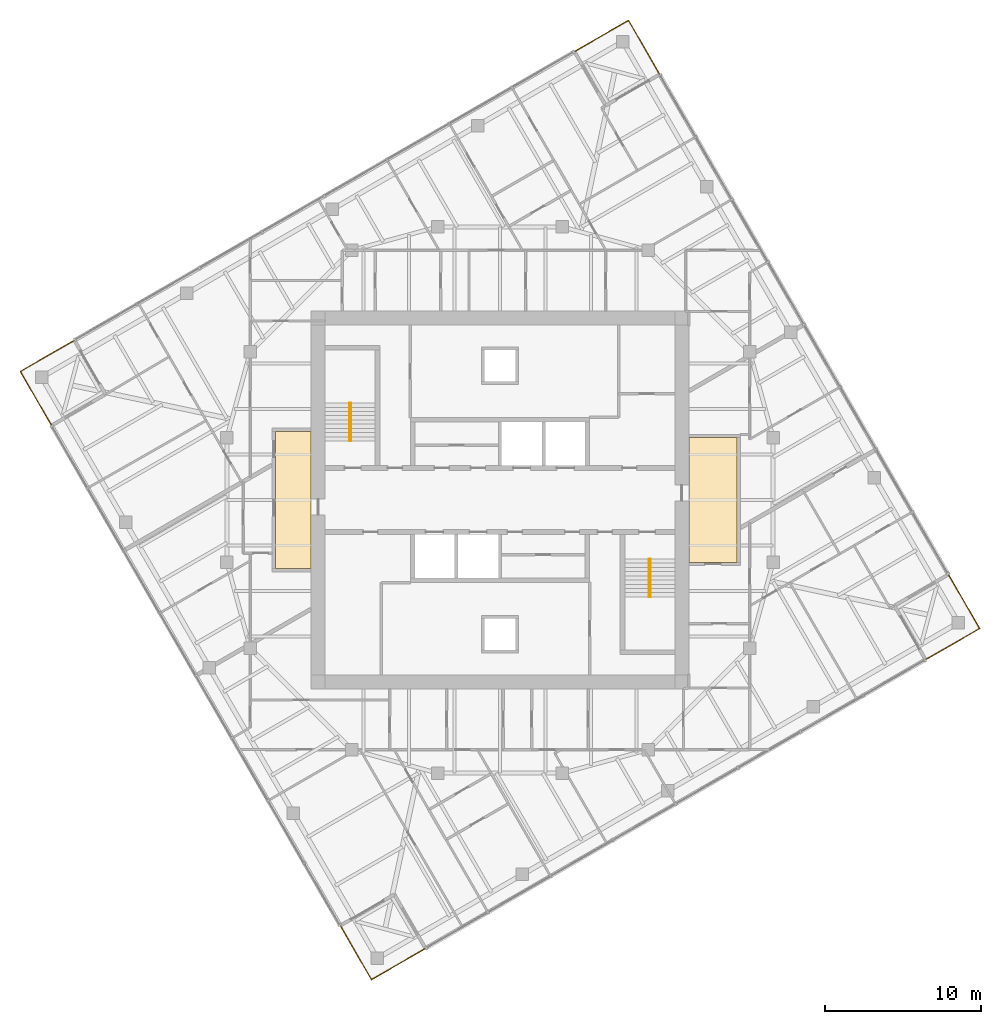
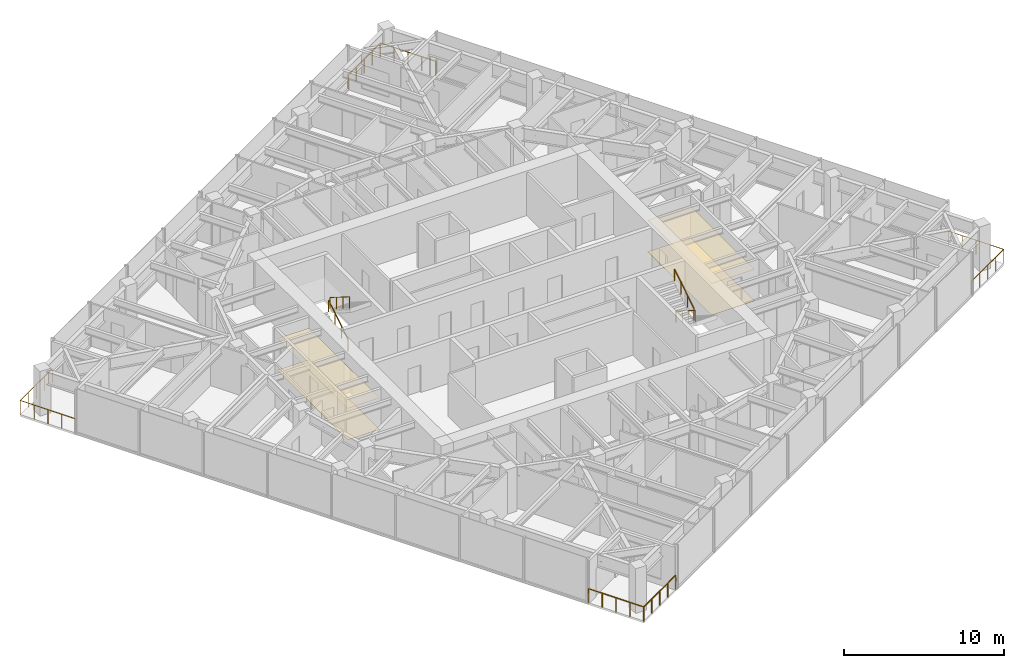
# One storey, part 13 of 13: 8 railings, 4 coverings, 2 elements without a shape of their own.
"""IFC4 building model written with IfcOpenShell, lengths in metres."""

from ifc_helpers import new_model, si_unit, direction, frame, origin, origin_2d, place, context, subcontext, project, spatial, polyline, circle, outline, extrude, material, layer, layer_set, type_object, element, aggregate, save


model = new_model("IFC4")

# Units and contexts
model_context = context("Model", 3, precision=1e-05, world=origin(), true_north=direction((0.0, 1.0)))
body_context = subcontext(model_context, "Body", "Model", "MODEL_VIEW")
ifc_project = project(units=[si_unit("LENGTHUNIT", "METRE"), si_unit("AREAUNIT", "SQUARE_METRE"), si_unit("VOLUMEUNIT", "CUBIC_METRE"), si_unit("PLANEANGLEUNIT", "RADIAN"), si_unit("MASSUNIT", "GRAM", prefix="KILO")], contexts=[model_context])

# Site, building, storey
site_placement = place(None, origin())
site = spatial("IfcSite", under=ifc_project, at=site_placement, CompositionType="ELEMENT")
building_placement = place(site_placement, origin())
building = spatial("IfcBuilding", under=site, at=building_placement, Name="Torsade Residences", CompositionType="ELEMENT")
storey_placement = place(building_placement, frame((0.0, 0.0, 225.199951171875)))
storey = spatial("IfcBuildingStorey", under=building, at=storey_placement, Name="L62", CompositionType="ELEMENT", Elevation=225.199951171875)

# Coverings
ifc_material_1 = material(Name="Nylon carpet tile on underlay", Category="textile")
ifc_layer_1 = layer(ifc_material_1, 0.010009765625)
ifc_layer_set_1 = layer_set([ifc_layer_1], Name="Nylon carpet tile on underlay")
covering_type_1 = type_object("IfcCoveringType", Name="CORRIDOR CARPET TILE 10", PredefinedType="FLOORING", material=ifc_layer_set_1)
covering_1_placement = place(storey_placement, origin())
element("IfcCovering", 1, at=covering_1_placement, inside=storey, type_object=covering_type_1, Name="Corridor carpet L62", PredefinedType="FLOORING", context=body_context, shape_type="SweptSolid", body=[
    extrude(outline(polyline([(55.199951171875, 26.0), (55.199951171875, 34.0), (52.10009765625, 34.0), (52.10009765625, 26.0), (55.199951171875, 26.0)])), origin(), (0.0, 0.0, 1.0), 0.010009765625),
])
covering_2_placement = place(storey_placement, origin())
element("IfcCovering", 2, at=covering_2_placement, inside=storey, type_object=covering_type_1, Name="Corridor carpet west L62", PredefinedType="FLOORING", context=body_context, shape_type="SweptSolid", body=[
    extrude(outline(polyline([(27.89990234375, 25.60009765625), (27.89990234375, 34.39990234375), (25.60009765625, 34.39990234375), (25.60009765625, 25.60009765625), (27.89990234375, 25.60009765625)])), origin(), (0.0, 0.0, 1.0), 0.010009765625),
])
ifc_material_2 = material(Name="Plasterboard on suspended steel grid", Category="steel")
ifc_layer_2 = layer(ifc_material_2, 0.012939453125)
ifc_layer_set_2 = layer_set([ifc_layer_2], Name="Plasterboard on suspended steel grid")
covering_type_2 = type_object("IfcCoveringType", Name="CORRIDOR SUSPENDED CEILING 13", PredefinedType="CEILING", material=ifc_layer_set_2)
covering_3_placement = place(storey_placement, frame((0.0, 0.0, 2.400146484375)))
element("IfcCovering", 3, at=covering_3_placement, inside=storey, type_object=covering_type_2, Name="Corridor ceiling L62", PredefinedType="CEILING", context=body_context, shape_type="SweptSolid", body=[
    extrude(outline(polyline([(55.199951171875, 26.0), (55.199951171875, 34.0), (52.10009765625, 34.0), (52.10009765625, 26.0), (55.199951171875, 26.0)])), origin(), (0.0, 0.0, 1.0), 0.012939453125),
])
covering_4_placement = place(storey_placement, frame((0.0, 0.0, 2.400146484375)))
element("IfcCovering", 4, at=covering_4_placement, inside=storey, type_object=covering_type_2, Name="Corridor ceiling west L62", PredefinedType="CEILING", context=body_context, shape_type="SweptSolid", body=[
    extrude(outline(polyline([(27.89990234375, 25.60009765625), (27.89990234375, 34.39990234375), (25.60009765625, 34.39990234375), (25.60009765625, 25.60009765625), (27.89990234375, 25.60009765625)])), origin(), (0.0, 0.0, 1.0), 0.012939453125),
])

# Stair, railings
ifc_material_3 = material(Name="Precast concrete 40 MPa", Category="concrete")
stair_type = type_object("IfcStairType", Name="HALF-TURN FIRE STAIR 1500x3400", PredefinedType="HALF_TURN_STAIR", material=ifc_material_3)
stair_1_placement = place(storey_placement, origin())
stair_1 = element("IfcStair", 5, at=stair_1_placement, inside=storey, type_object=stair_type, Name="Stair ST1 L62", PredefinedType="HALF_TURN_STAIR")
ifc_material_4 = material(Name="Steel handrail", Category="steel")
railing_type_1 = type_object("IfcRailingType", Name="STAIR HANDRAIL 900", PredefinedType="HANDRAIL", material=ifc_material_4)
railing_1_placement = place(storey_placement, frame((30.35009765625, 33.780029296875, 0.170166015625)))
railing_1 = element("IfcRailing", 6, at=railing_1_placement, type_object=railing_type_1, Name="Handrail ST1 flight 1 L62", PredefinedType="HANDRAIL", context=body_context, shape_type="SweptSolid", body=[
    extrude(circle(Radius=0.02392578125, at=origin_2d()), frame((0.0, 0.0, 0.8759765625), z_axis=(0.0, 0.846259816676, 0.532770422113), x_axis=(-1.0, 0.0, 0.0)), (0.0, 0.0, 1.0), 2.871337890625),
    extrude(circle(Radius=0.02099609375, at=origin_2d()), origin(), (0.0, 0.0, 1.0), 0.851806640625),
    extrude(circle(Radius=0.02099609375, at=origin_2d()), frame((0.0, 0.81005859375, 0.510009765625)), (0.0, 0.0, 1.0), 0.851806640625),
    extrude(circle(Radius=0.02099609375, at=origin_2d()), frame((0.0, 1.619873046875, 1.019775390625)), (0.0, 0.0, 1.0), 0.851806640625),
    extrude(circle(Radius=0.02099609375, at=origin_2d()), frame((0.0, 2.429931640625, 1.52978515625)), (0.0, 0.0, 1.0), 0.851806640625),
])
railing_2_placement = place(storey_placement, frame((30.449951171875, 36.2099609375, 1.8701171875)))
railing_2 = element("IfcRailing", 7, at=railing_2_placement, type_object=railing_type_1, Name="Handrail ST1 flight 2 L62", PredefinedType="HANDRAIL", context=body_context, shape_type="SweptSolid", body=[
    extrude(circle(Radius=0.02392578125, at=origin_2d()), frame((0.0, 0.0, 0.8759765625), z_axis=(0.0, -0.846221481393, 0.532831309544), x_axis=(1.0, 0.0, 0.0)), (0.0, 0.0, 1.0), 2.87158203125),
    extrude(circle(Radius=0.02099609375, at=origin_2d()), origin(), (0.0, 0.0, 1.0), 0.851806640625),
    extrude(circle(Radius=0.02099609375, at=origin_2d()), frame((0.0, -0.81005859375, 0.510009765625)), (0.0, 0.0, 1.0), 0.851806640625),
    extrude(circle(Radius=0.02099609375, at=origin_2d()), frame((0.0, -1.619873046875, 1.02001953125)), (0.0, 0.0, 1.0), 0.851806640625),
    extrude(circle(Radius=0.02099609375, at=origin_2d()), frame((0.0, -2.429931640625, 1.530029296875)), (0.0, 0.0, 1.0), 0.851806640625),
])
aggregate(stair_1, [railing_1, railing_2])

stair_2_placement = place(storey_placement, origin())
stair_2 = element("IfcStair", 8, at=stair_2_placement, inside=storey, type_object=stair_type, Name="Stair ST2 L62", PredefinedType="HALF_TURN_STAIR")
railing_3_placement = place(storey_placement, frame((49.64990234375, 26.219970703125, 0.170166015625)))
railing_3 = element("IfcRailing", 9, at=railing_3_placement, type_object=railing_type_1, Name="Handrail ST2 flight 1 L62", PredefinedType="HANDRAIL", context=body_context, shape_type="SweptSolid", body=[
    extrude(circle(Radius=0.02392578125, at=origin_2d()), frame((0.0, 0.0, 0.8759765625), z_axis=(0.0, -0.846259816676, 0.532770422113), x_axis=(1.0, 0.0, 0.0)), (0.0, 0.0, 1.0), 2.871337890625),
    extrude(circle(Radius=0.02099609375, at=origin_2d()), origin(), (0.0, 0.0, 1.0), 0.851806640625),
    extrude(circle(Radius=0.02099609375, at=origin_2d()), frame((0.0, -0.81005859375, 0.510009765625)), (0.0, 0.0, 1.0), 0.851806640625),
    extrude(circle(Radius=0.02099609375, at=origin_2d()), frame((0.0, -1.619873046875, 1.019775390625)), (0.0, 0.0, 1.0), 0.851806640625),
    extrude(circle(Radius=0.02099609375, at=origin_2d()), frame((0.0, -2.429931640625, 1.52978515625)), (0.0, 0.0, 1.0), 0.851806640625),
])
railing_4_placement = place(storey_placement, frame((49.550048828125, 23.7900390625, 1.8701171875)))
railing_4 = element("IfcRailing", 10, at=railing_4_placement, type_object=railing_type_1, Name="Handrail ST2 flight 2 L62", PredefinedType="HANDRAIL", context=body_context, shape_type="SweptSolid", body=[
    extrude(circle(Radius=0.02392578125, at=origin_2d()), frame((0.0, 0.0, 0.8759765625), z_axis=(0.0, 0.846221481393, 0.532831309544), x_axis=(-1.0, 0.0, 0.0)), (0.0, 0.0, 1.0), 2.87158203125),
    extrude(circle(Radius=0.02099609375, at=origin_2d()), origin(), (0.0, 0.0, 1.0), 0.851806640625),
    extrude(circle(Radius=0.02099609375, at=origin_2d()), frame((0.0, 0.81005859375, 0.510009765625)), (0.0, 0.0, 1.0), 0.851806640625),
    extrude(circle(Radius=0.02099609375, at=origin_2d()), frame((0.0, 1.619873046875, 1.02001953125)), (0.0, 0.0, 1.0), 0.851806640625),
    extrude(circle(Radius=0.02099609375, at=origin_2d()), frame((0.0, 2.429931640625, 1.530029296875)), (0.0, 0.0, 1.0), 0.851806640625),
])
aggregate(stair_2, [railing_3, railing_4])

# Railings
ifc_material_5 = material(Name="Laminated glass balustrade", Category="glass")
railing_type_2 = type_object("IfcRailingType", Name="TERRACE GLASS BALUSTRADE 1100", PredefinedType="BALUSTRADE", material=ifc_material_5)
railing_5_placement = place(storey_placement, frame((67.271484375, 19.764404296875, 0.0)))
element("IfcRailing", 11, at=railing_5_placement, inside=storey, type_object=railing_type_2, Name="Terrace balustrade SE L62", PredefinedType="BALUSTRADE", context=body_context, shape_type="SweptSolid", body=[
    extrude(circle(Radius=0.02392578125, at=origin_2d()), frame((0.0, 0.0, 1.076171875), z_axis=(0.866026010844, 0.49999894854, 0.0), x_axis=(-0.49999894854, 0.866026010844, 0.0)), (0.0, 0.0, 1.0), 4.0),
    extrude(circle(Radius=0.02392578125, at=origin_2d()), frame((3.464111328125, 2.0, 1.076171875), z_axis=(-0.49999894854, 0.866026010844, 0.0), x_axis=(-0.866026010844, -0.49999894854, 0.0)), (0.0, 0.0, 1.0), 4.0),
    extrude(circle(Radius=0.02099609375, at=origin_2d()), origin(), (0.0, 0.0, 1.0), 1.052001953125),
    extrude(circle(Radius=0.02099609375, at=origin_2d()), frame((0.865966796875, 0.5, 0.0)), (0.0, 0.0, 1.0), 1.052001953125),
    extrude(circle(Radius=0.02099609375, at=origin_2d()), frame((1.73193359375, 1.0, 0.0)), (0.0, 0.0, 1.0), 1.052001953125),
    extrude(circle(Radius=0.02099609375, at=origin_2d()), frame((2.59814453125, 1.5, 0.0)), (0.0, 0.0, 1.0), 1.052001953125),
    extrude(circle(Radius=0.02099609375, at=origin_2d()), frame((3.464111328125, 2.0, 0.0)), (0.0, 0.0, 1.0), 1.052001953125),
    extrude(circle(Radius=0.02099609375, at=origin_2d()), frame((2.964111328125, 2.865966796875, 0.0)), (0.0, 0.0, 1.0), 1.052001953125),
    extrude(circle(Radius=0.02099609375, at=origin_2d()), frame((2.464111328125, 3.73193359375, 0.0)), (0.0, 0.0, 1.0), 1.052001953125),
    extrude(circle(Radius=0.02099609375, at=origin_2d()), frame((1.964111328125, 4.59814453125, 0.0)), (0.0, 0.0, 1.0), 1.052001953125),
    extrude(circle(Radius=0.02099609375, at=origin_2d()), frame((1.464111328125, 5.464111328125, 0.0)), (0.0, 0.0, 1.0), 1.052001953125),
])
railing_6_placement = place(storey_placement, frame((50.235595703125, 57.271484375, 0.0)))
element("IfcRailing", 12, at=railing_6_placement, inside=storey, type_object=railing_type_2, Name="Terrace balustrade NE L62", PredefinedType="BALUSTRADE", context=body_context, shape_type="SweptSolid", body=[
    extrude(circle(Radius=0.02392578125, at=origin_2d()), frame((0.0, 0.0, 1.076171875), z_axis=(-0.49999894854, 0.866026010844, 0.0), x_axis=(-0.866026010844, -0.49999894854, 0.0)), (0.0, 0.0, 1.0), 4.0),
    extrude(circle(Radius=0.02392578125, at=origin_2d()), frame((-2.0, 3.464111328125, 1.076171875), z_axis=(-0.866026010844, -0.49999894854, 0.0), x_axis=(0.49999894854, -0.866026010844, 0.0)), (0.0, 0.0, 1.0), 4.0),
    extrude(circle(Radius=0.02099609375, at=origin_2d()), origin(), (0.0, 0.0, 1.0), 1.052001953125),
    extrude(circle(Radius=0.02099609375, at=origin_2d()), frame((-0.5, 0.865966796875, 0.0)), (0.0, 0.0, 1.0), 1.052001953125),
    extrude(circle(Radius=0.02099609375, at=origin_2d()), frame((-1.0, 1.73193359375, 0.0)), (0.0, 0.0, 1.0), 1.052001953125),
    extrude(circle(Radius=0.02099609375, at=origin_2d()), frame((-1.5, 2.59814453125, 0.0)), (0.0, 0.0, 1.0), 1.052001953125),
    extrude(circle(Radius=0.02099609375, at=origin_2d()), frame((-2.0, 3.464111328125, 0.0)), (0.0, 0.0, 1.0), 1.052001953125),
    extrude(circle(Radius=0.02099609375, at=origin_2d()), frame((-2.865966796875, 2.964111328125, 0.0)), (0.0, 0.0, 1.0), 1.052001953125),
    extrude(circle(Radius=0.02099609375, at=origin_2d()), frame((-3.73193359375, 2.464111328125, 0.0)), (0.0, 0.0, 1.0), 1.052001953125),
    extrude(circle(Radius=0.02099609375, at=origin_2d()), frame((-4.59814453125, 1.964111328125, 0.0)), (0.0, 0.0, 1.0), 1.052001953125),
    extrude(circle(Radius=0.02099609375, at=origin_2d()), frame((-5.464111328125, 1.464111328125, 0.0)), (0.0, 0.0, 1.0), 1.052001953125),
])
railing_7_placement = place(storey_placement, frame((12.728515625, 40.235595703125, 0.0)))
element("IfcRailing", 13, at=railing_7_placement, inside=storey, type_object=railing_type_2, Name="Terrace balustrade NW L62", PredefinedType="BALUSTRADE", context=body_context, shape_type="SweptSolid", body=[
    extrude(circle(Radius=0.02392578125, at=origin_2d()), frame((0.0, 0.0, 1.076171875), z_axis=(-0.866026010844, -0.49999894854, 0.0), x_axis=(0.49999894854, -0.866026010844, 0.0)), (0.0, 0.0, 1.0), 4.0),
    extrude(circle(Radius=0.02392578125, at=origin_2d()), frame((-3.464111328125, -2.0, 1.076171875), z_axis=(0.49999894854, -0.866026010844, 0.0), x_axis=(0.866026010844, 0.49999894854, 0.0)), (0.0, 0.0, 1.0), 4.0),
    extrude(circle(Radius=0.02099609375, at=origin_2d()), origin(), (0.0, 0.0, 1.0), 1.052001953125),
    extrude(circle(Radius=0.02099609375, at=origin_2d()), frame((-0.865966796875, -0.5, 0.0)), (0.0, 0.0, 1.0), 1.052001953125),
    extrude(circle(Radius=0.02099609375, at=origin_2d()), frame((-1.73193359375, -1.0, 0.0)), (0.0, 0.0, 1.0), 1.052001953125),
    extrude(circle(Radius=0.02099609375, at=origin_2d()), frame((-2.59814453125, -1.5, 0.0)), (0.0, 0.0, 1.0), 1.052001953125),
    extrude(circle(Radius=0.02099609375, at=origin_2d()), frame((-3.464111328125, -2.0, 0.0)), (0.0, 0.0, 1.0), 1.052001953125),
    extrude(circle(Radius=0.02099609375, at=origin_2d()), frame((-2.964111328125, -2.865966796875, 0.0)), (0.0, 0.0, 1.0), 1.052001953125),
    extrude(circle(Radius=0.02099609375, at=origin_2d()), frame((-2.464111328125, -3.73193359375, 0.0)), (0.0, 0.0, 1.0), 1.052001953125),
    extrude(circle(Radius=0.02099609375, at=origin_2d()), frame((-1.964111328125, -4.59814453125, 0.0)), (0.0, 0.0, 1.0), 1.052001953125),
    extrude(circle(Radius=0.02099609375, at=origin_2d()), frame((-1.464111328125, -5.464111328125, 0.0)), (0.0, 0.0, 1.0), 1.052001953125),
])
railing_8_placement = place(storey_placement, frame((29.764404296875, 2.728515625, 0.0)))
element("IfcRailing", 14, at=railing_8_placement, inside=storey, type_object=railing_type_2, Name="Terrace balustrade SW L62", PredefinedType="BALUSTRADE", context=body_context, shape_type="SweptSolid", body=[
    extrude(circle(Radius=0.02392578125, at=origin_2d()), frame((0.0, 0.0, 1.076171875), z_axis=(0.49999894854, -0.866026010844, 0.0), x_axis=(0.866026010844, 0.49999894854, 0.0)), (0.0, 0.0, 1.0), 4.0),
    extrude(circle(Radius=0.02392578125, at=origin_2d()), frame((2.0, -3.464111328125, 1.076171875), z_axis=(0.866026010844, 0.49999894854, 0.0), x_axis=(-0.49999894854, 0.866026010844, 0.0)), (0.0, 0.0, 1.0), 4.0),
    extrude(circle(Radius=0.02099609375, at=origin_2d()), origin(), (0.0, 0.0, 1.0), 1.052001953125),
    extrude(circle(Radius=0.02099609375, at=origin_2d()), frame((0.5, -0.865966796875, 0.0)), (0.0, 0.0, 1.0), 1.052001953125),
    extrude(circle(Radius=0.02099609375, at=origin_2d()), frame((1.0, -1.73193359375, 0.0)), (0.0, 0.0, 1.0), 1.052001953125),
    extrude(circle(Radius=0.02099609375, at=origin_2d()), frame((1.5, -2.59814453125, 0.0)), (0.0, 0.0, 1.0), 1.052001953125),
    extrude(circle(Radius=0.02099609375, at=origin_2d()), frame((2.0, -3.464111328125, 0.0)), (0.0, 0.0, 1.0), 1.052001953125),
    extrude(circle(Radius=0.02099609375, at=origin_2d()), frame((2.865966796875, -2.964111328125, 0.0)), (0.0, 0.0, 1.0), 1.052001953125),
    extrude(circle(Radius=0.02099609375, at=origin_2d()), frame((3.73193359375, -2.464111328125, 0.0)), (0.0, 0.0, 1.0), 1.052001953125),
    extrude(circle(Radius=0.02099609375, at=origin_2d()), frame((4.59814453125, -1.964111328125, 0.0)), (0.0, 0.0, 1.0), 1.052001953125),
    extrude(circle(Radius=0.02099609375, at=origin_2d()), frame((5.464111328125, -1.464111328125, 0.0)), (0.0, 0.0, 1.0), 1.052001953125),
])

save(model, "model.ifc")
